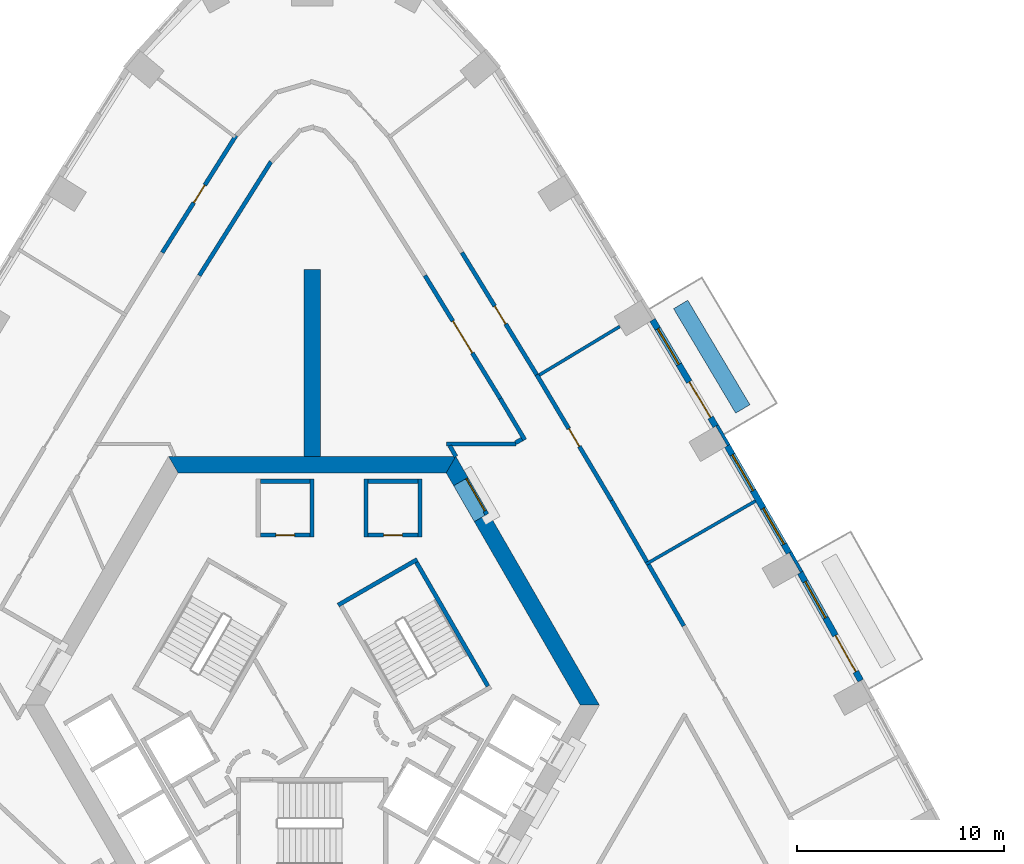
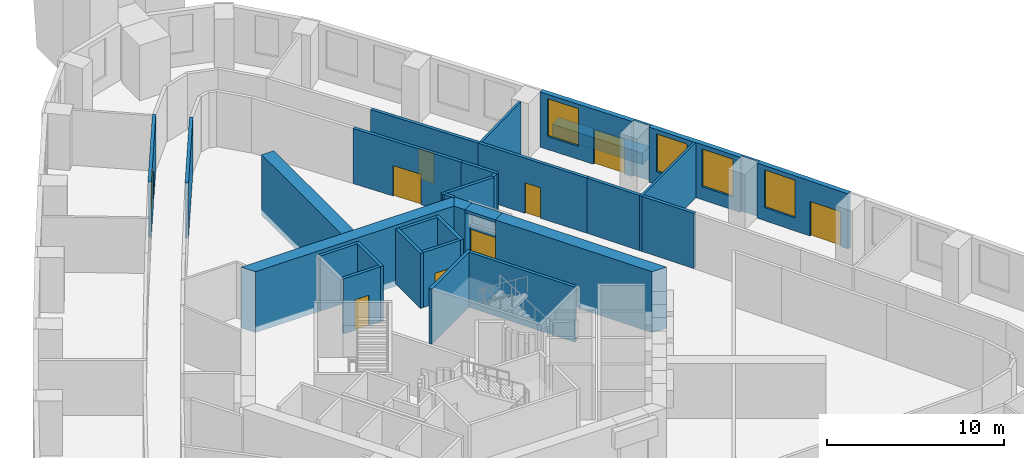
# One storey, part 9 of 14: 34 walls, 9 doors, 4 windows, 13 openings.
"""IFC4 building model written with IfcOpenShell, lengths in metres."""

from ifc_helpers import new_model, si_unit, direction, frame, frame_2d, origin, place, context, subcontext, project, spatial, polyline, rectangle, outline, extrude, material, layer, layer_set, type_object, element, fill, save


model = new_model("IFC4")

# Units and contexts
model_context = context("Model", 3, precision=1e-05, world=origin(), true_north=direction((0.0, 1.0)))
body_context = subcontext(model_context, "Body", "Model", "MODEL_VIEW")
ifc_project = project(units=[si_unit("LENGTHUNIT", "METRE"), si_unit("AREAUNIT", "SQUARE_METRE"), si_unit("VOLUMEUNIT", "CUBIC_METRE"), si_unit("PLANEANGLEUNIT", "RADIAN"), si_unit("MASSUNIT", "GRAM", prefix="KILO")], contexts=[model_context])

# Site, building, storey
site_placement = place(None, origin())
site = spatial("IfcSite", under=ifc_project, at=site_placement, CompositionType="ELEMENT")
building_placement = place(site_placement, origin())
building = spatial("IfcBuilding", under=site, at=building_placement, Name="Entoto Arch Interchange Tower", CompositionType="ELEMENT")
storey_placement = place(building_placement, frame((0.0, 0.0, 163.39990234375)))
storey = spatial("IfcBuildingStorey", under=building, at=storey_placement, Name="L36", CompositionType="ELEMENT", Elevation=163.39990234375)

# Wall
ifc_material_1 = material(Name="Concrete C50/60", Category="concrete")
ifc_layer_1 = layer(ifc_material_1, 0.800048828125)
ifc_layer_set_1 = layer_set([ifc_layer_1], Name="Concrete C50/60")
wall_type_1 = type_object("IfcWallType", Name="Buttress wall 800 C50/60", PredefinedType="SHEAR", material=ifc_layer_set_1)
wall_1_placement = place(storey_placement, frame((0.0, 14.5, -0.39990234375), z_axis=(0.0, 0.0, 1.0), x_axis=(0.0, 1.0, 0.0)))
element("IfcWall", 1, at=wall_1_placement, inside=storey, type_object=wall_type_1, Name="Buttress wall N L36", PredefinedType="SHEAR", context=body_context, shape_type="SweptSolid", body=[
    extrude(rectangle(XDim=9.0, YDim=0.800048828125, at=frame_2d((4.5, 0.0))), origin(), (0.0, 0.0, 1.0), 4.199951171875),
])

# Wall, opening, door
ifc_material_2 = material(Name="Reinforced concrete C40/50", Category="concrete")
ifc_layer_2 = layer(ifc_material_2, 0.199951171875)
ifc_layer_set_2 = layer_set([ifc_layer_2], Name="Reinforced concrete C40/50")
wall_type_2 = type_object("IfcWallType", Name="CORE GAP INFILL WALL", PredefinedType="PARTITIONING", material=ifc_layer_set_2)
wall_2_placement = place(storey_placement, frame((8.429931640625, 11.697998046875, 0.0), z_axis=(0.0, 0.0, 1.0), x_axis=(-0.50002537861, 0.866010750942, 0.0)))
wall_2 = element("IfcWall", 2, at=wall_2_placement, inside=storey, type_object=wall_type_2, Name="wall:L36:gap2", PredefinedType="PARTITIONING", context=body_context, shape_type="SweptSolid", body=[
    extrude(rectangle(XDim=2.0, YDim=0.199951171875, at=frame_2d((1.0, 0.0))), origin(), (0.0, 0.0, 1.0), 2.400146484375),
])
opening_1_placement = place(wall_2_placement, frame((0.18994140625, 0.0, 0.0)))
opening_1 = element("IfcOpeningElement", 3, at=opening_1_placement, cuts=wall_2, Name="Opening L36-D92", PredefinedType="OPENING", context=body_context, shape_type="SweptSolid", body=[
    extrude(rectangle(XDim=1.800048828125, YDim=2.10009765625, at=frame_2d((0.89990234375, 1.050048828125))), frame((0.0, 0.10986328125, 0.0), z_axis=(0.0, -1.0, 0.0), x_axis=(1.0, 0.0, 0.0)), (0.0, 0.0, 1.0), 0.219970703125),
])
ifc_material_3 = material(Name="Fire-rated Steel S235 door and frame", Category="steel")
door_type_1 = type_object("IfcDoorType", Name="DOOR FD-18 1800x2100", OperationType="DOUBLE_DOOR_SINGLE_SWING", PredefinedType="DOOR", material=ifc_material_3)
door_1_placement = place(opening_1_placement, origin())
door_1 = element("IfcDoor", 4, at=door_1_placement, inside=storey, type_object=door_type_1, Name="door:L36:gap2", OperationType="DOUBLE_DOOR_SINGLE_SWING", OverallHeight=2.10009765625, OverallWidth=1.800048828125, PredefinedType="DOOR", context=body_context, shape_type="SweptSolid", body=[
    extrude(rectangle(XDim=1.800048828125, YDim=2.10009765625, at=frame_2d((0.89990234375, 1.050048828125))), frame((0.0, 0.02490234375, 0.0), z_axis=(0.0, -1.0, 0.0), x_axis=(1.0, 0.0, 0.0)), (0.0, 0.0, 1.0), 0.050048828125),
])
fill(opening_1, door_1)

# Walls
ifc_layer_3 = layer(ifc_material_1, 0.800048828125)
ifc_layer_set_3 = layer_set([ifc_layer_3], Name="Concrete C50/60")
wall_type_3 = type_object("IfcWallType", Name="Core wall 800 C50/60", PredefinedType="SHEAR", material=ifc_layer_set_3)
wall_3_placement = place(storey_placement, frame((0.0, 0.0, -0.39990234375)))
element("IfcWall", 5, at=wall_3_placement, inside=storey, type_object=wall_type_3, Name="Core wall NE L36", PredefinedType="SHEAR", context=body_context, shape_type="SweptSolid", body=[
    extrude(outline(polyline([(8.51708984375, 11.748046875), (7.823974609375, 11.347900390625), (12.93310546875, 2.5), (13.85595703125, 2.5), (8.51708984375, 11.748046875)])), origin(), (0.0, 0.0, 1.0), 4.199951171875),
])
wall_4_placement = place(storey_placement, frame((0.0, 0.0, -0.39990234375)))
element("IfcWall", 6, at=wall_4_placement, inside=storey, type_object=wall_type_3, Name="Core wall NE L36", PredefinedType="SHEAR", context=body_context, shape_type="SweptSolid", body=[
    extrude(outline(polyline([(6.823974609375, 13.080078125), (7.51708984375, 13.47998046875), (6.927978515625, 14.5), (6.466064453125, 13.699951171875), (6.823974609375, 13.080078125)])), origin(), (0.0, 0.0, 1.0), 4.199951171875),
])
wall_5_placement = place(storey_placement, frame((0.0, 0.0, 3.60009765625)))
element("IfcWall", 7, at=wall_5_placement, inside=storey, type_object=wall_type_3, Name="Core wall lintel NE L36", PredefinedType="SHEAR", context=body_context, shape_type="SweptSolid", body=[
    extrude(outline(polyline([(7.51708984375, 13.47998046875), (6.823974609375, 13.080078125), (7.823974609375, 11.347900390625), (8.51708984375, 11.748046875), (7.51708984375, 13.47998046875)])), origin(), (0.0, 0.0, 1.0), 0.199951171875),
])
wall_6_placement = place(storey_placement, frame((0.0, 0.0, -0.39990234375)))
element("IfcWall", 8, at=wall_6_placement, inside=storey, type_object=wall_type_3, Name="Core wall N L36", PredefinedType="SHEAR", context=body_context, shape_type="SweptSolid", body=[
    extrude(outline(polyline([(6.927978515625, 14.5), (-6.927978515625, 14.5), (-6.466064453125, 13.699951171875), (6.466064453125, 13.699951171875), (6.927978515625, 14.5)])), origin(), (0.0, 0.0, 1.0), 4.199951171875),
])
ifc_material_4 = material(Name="Gypsum board partition on steel studs", Category="steel")
ifc_layer_4 = layer(ifc_material_4, 0.14990234375)
ifc_layer_set_4 = layer_set([ifc_layer_4], Name="Gypsum board partition on steel studs")
wall_type_4 = type_object("IfcWallType", Name="PARTITION 150", PredefinedType="PARTITIONING", material=ifc_layer_set_4)
wall_7_placement = place(storey_placement, frame((16.097900390625, 9.294921875, 0.0), z_axis=(0.0, 0.0, 1.0), x_axis=(0.866109615698, 0.499854112313, 0.0)))
element("IfcWall", 9, at=wall_7_placement, inside=storey, type_object=wall_type_4, Name="wall:L36:p137", PredefinedType="PARTITIONING", context=body_context, shape_type="SweptSolid", body=[
    extrude(rectangle(XDim=6.099853515625, YDim=0.14990234375, at=frame_2d((3.0498046875, 0.0))), origin(), (0.0, 0.0, 1.0), 3.800048828125),
])
wall_8_placement = place(storey_placement, frame((10.95703125, 18.4208984375, 0.0), z_axis=(0.0, 0.0, 1.0), x_axis=(0.85624931053, 0.516562792134, 0.0)))
element("IfcWall", 10, at=wall_8_placement, inside=storey, type_object=wall_type_4, Name="wall:L36:p138", PredefinedType="PARTITIONING", context=body_context, shape_type="SweptSolid", body=[
    extrude(rectangle(XDim=4.530029296875, YDim=0.14990234375, at=frame_2d((2.26513671875, 0.0))), origin(), (0.0, 0.0, 1.0), 3.800048828125),
])
ifc_layer_5 = layer(ifc_material_4, 0.199951171875)
ifc_layer_set_5 = layer_set([ifc_layer_5], Name="Gypsum board partition on steel studs")
wall_type_5 = type_object("IfcWallType", Name="PARTITION 200", PredefinedType="PARTITIONING", material=ifc_layer_set_5)
wall_9_placement = place(storey_placement, frame((6.93701171875, 14.488037109375, 0.0), z_axis=(0.0, 0.0, 1.0), x_axis=(-0.499908430952, 0.866078264744, 0.0)))
element("IfcWall", 11, at=wall_9_placement, inside=storey, type_object=wall_type_5, Name="wall:L36:p005", PredefinedType="PARTITIONING", context=body_context, shape_type="SweptSolid", body=[
    extrude(rectangle(XDim=0.60595703125, YDim=0.199951171875, at=frame_2d((0.302978515625, 0.0))), origin(), (0.0, 0.0, 1.0), 3.800048828125),
])
wall_10_placement = place(storey_placement, frame((6.48388671875, 15.10009765625, 0.0), z_axis=(0.0, 0.0, 1.0), x_axis=(1.0, 0.0, 0.0)))
element("IfcWall", 12, at=wall_10_placement, inside=storey, type_object=wall_type_5, Name="wall:L36:p006", PredefinedType="PARTITIONING", context=body_context, shape_type="SweptSolid", body=[
    extrude(rectangle(XDim=3.339111328125, YDim=0.199951171875, at=frame_2d((1.66943359375, 0.0))), origin(), (0.0, 0.0, 1.0), 3.800048828125),
])
wall_11_placement = place(storey_placement, frame((9.80908203125, 15.14990234375, 0.0), z_axis=(0.0, 0.0, 1.0), x_axis=(0.866479829667, 0.499212083968, 0.0)))
element("IfcWall", 13, at=wall_11_placement, inside=storey, type_object=wall_type_5, Name="wall:L36:p007", PredefinedType="PARTITIONING", context=body_context, shape_type="SweptSolid", body=[
    extrude(rectangle(XDim=0.35888671875, YDim=0.199951171875, at=frame_2d((0.179443359375, 0.0))), origin(), (0.0, 0.0, 1.0), 3.800048828125),
])
wall_12_placement = place(storey_placement, frame((10.257080078125, 15.29296875, 0.0), z_axis=(0.0, 0.0, 1.0), x_axis=(-0.510974411771, 0.859595922812, 0.0)))
element("IfcWall", 14, at=wall_12_placement, inside=storey, type_object=wall_type_5, Name="wall:L36:p008", PredefinedType="PARTITIONING", context=body_context, shape_type="SweptSolid", body=[
    extrude(rectangle(XDim=2.3173828125, YDim=0.199951171875, at=frame_2d((1.15869140625, 0.0))), origin(), (0.0, 0.0, 1.0), 3.800048828125),
])

# Wall, opening, door
wall_13_placement = place(storey_placement, frame((9.072998046875, 17.284912109375, 0.0), z_axis=(0.0, 0.0, 1.0), x_axis=(-0.522108536257, 0.85287905143, 0.0)))
wall_13 = element("IfcWall", 15, at=wall_13_placement, inside=storey, type_object=wall_type_5, Name="wall:L36:p009", PredefinedType="PARTITIONING", context=body_context, shape_type="SweptSolid", body=[
    extrude(rectangle(XDim=6.95654296875, YDim=0.199951171875, at=frame_2d((3.478271484375, 0.0))), origin(), (0.0, 0.0, 1.0), 3.800048828125),
])
opening_2_placement = place(wall_13_placement, frame((2.577880859375, 0.0, 0.0)))
opening_2 = element("IfcOpeningElement", 16, at=opening_2_placement, cuts=wall_13, Name="Opening L36-D16", PredefinedType="OPENING", context=body_context, shape_type="SweptSolid", body=[
    extrude(rectangle(XDim=1.800048828125, YDim=2.10009765625, at=frame_2d((0.89990234375, 1.050048828125))), frame((0.0, 0.10986328125, 0.0), z_axis=(0.0, -1.0, 0.0), x_axis=(1.0, 0.0, 0.0)), (0.0, 0.0, 1.0), 0.219970703125),
])
ifc_material_5 = material(Name="Timber door leaf in Steel S235 frame", Category="steel")
door_type_2 = type_object("IfcDoorType", Name="DOOR DD-18 1800x2100", OperationType="DOUBLE_DOOR_SINGLE_SWING", PredefinedType="DOOR", material=ifc_material_5)
door_2_placement = place(opening_2_placement, origin())
door_2 = element("IfcDoor", 17, at=door_2_placement, inside=storey, type_object=door_type_2, Name="door:L36:16", OperationType="DOUBLE_DOOR_SINGLE_SWING", OverallHeight=2.10009765625, OverallWidth=1.800048828125, PredefinedType="DOOR", context=body_context, shape_type="SweptSolid", body=[
    extrude(rectangle(XDim=1.800048828125, YDim=2.10009765625, at=frame_2d((0.89990234375, 1.050048828125))), frame((0.0, 0.02490234375, 0.0), z_axis=(0.0, -1.0, 0.0), x_axis=(1.0, 0.0, 0.0)), (0.0, 0.0, 1.0), 0.050048828125),
])
fill(opening_2, door_2)

# Walls
wall_14_placement = place(storey_placement, frame((-1.98388671875, 28.708984375, 0.0), z_axis=(0.0, 0.0, 1.0), x_axis=(-0.532786324951, -0.846249804694, 0.0)))
element("IfcWall", 18, at=wall_14_placement, inside=storey, type_object=wall_type_5, Name="wall:L36:p015", PredefinedType="PARTITIONING", context=body_context, shape_type="SweptSolid", body=[
    extrude(rectangle(XDim=6.488525390625, YDim=0.199951171875, at=frame_2d((3.244140625, 0.0))), origin(), (0.0, 0.0, 1.0), 3.800048828125),
])
wall_15_placement = place(storey_placement, frame((16.221923828125, 9.280029296875, 0.0), z_axis=(0.0, 0.0, 1.0), x_axis=(0.499920397431, -0.866071357471, 0.0)))
element("IfcWall", 19, at=wall_15_placement, inside=storey, type_object=wall_type_5, Name="wall:L36:p052", PredefinedType="PARTITIONING", context=body_context, shape_type="SweptSolid", body=[
    extrude(rectangle(XDim=3.41650390625, YDim=0.199951171875, at=frame_2d((1.708251953125, 0.0))), origin(), (0.0, 0.0, 1.0), 3.800048828125),
])

# Wall, opening, door
wall_16_placement = place(storey_placement, frame((10.8330078125, 18.43408203125, 0.0), z_axis=(0.0, 0.0, 1.0), x_axis=(0.510975915649, -0.859595028852, 0.0)))
wall_16 = element("IfcWall", 20, at=wall_16_placement, inside=storey, type_object=wall_type_5, Name="wall:L36:p055", PredefinedType="PARTITIONING", context=body_context, shape_type="SweptSolid", body=[
    extrude(rectangle(XDim=7.056884765625, YDim=0.199951171875, at=frame_2d((3.5283203125, 0.0))), origin(), (0.0, 0.0, 1.0), 3.800048828125),
])
opening_3_placement = place(wall_16_placement, frame((3.028076171875, 0.0, 0.0)))
opening_3 = element("IfcOpeningElement", 21, at=opening_3_placement, cuts=wall_16, Name="Opening L36-D05", PredefinedType="OPENING", context=body_context, shape_type="SweptSolid", body=[
    extrude(rectangle(XDim=1.0, YDim=2.10009765625, at=frame_2d((0.5, 1.050048828125))), frame((0.0, 0.10986328125, 0.0), z_axis=(0.0, -1.0, 0.0), x_axis=(1.0, 0.0, 0.0)), (0.0, 0.0, 1.0), 0.219970703125),
])
door_type_3 = type_object("IfcDoorType", Name="DOOR DS-10 1000x2100", OperationType="SINGLE_SWING_LEFT", PredefinedType="DOOR", material=ifc_material_5)
door_3_placement = place(opening_3_placement, origin())
door_3 = element("IfcDoor", 22, at=door_3_placement, inside=storey, type_object=door_type_3, Name="door:L36:05", OperationType="SINGLE_SWING_LEFT", OverallHeight=2.10009765625, OverallWidth=1.0, PredefinedType="DOOR", context=body_context, shape_type="SweptSolid", body=[
    extrude(rectangle(XDim=1.0, YDim=2.10009765625, at=frame_2d((0.5, 1.050048828125))), frame((0.0, 0.02490234375, 0.0), z_axis=(0.0, -1.0, 0.0), x_axis=(1.0, 0.0, 0.0)), (0.0, 0.0, 1.0), 0.050048828125),
])
fill(opening_3, door_3)

# Wall
wall_17_placement = place(storey_placement, frame((14.43896484375, 12.367919921875, 0.0), z_axis=(0.0, 0.0, 1.0), x_axis=(0.500044178772, -0.865999895656, 0.0)))
element("IfcWall", 23, at=wall_17_placement, inside=storey, type_object=wall_type_5, Name="wall:L36:p056", PredefinedType="PARTITIONING", context=body_context, shape_type="SweptSolid", body=[
    extrude(rectangle(XDim=3.415771484375, YDim=0.199951171875, at=frame_2d((1.7080078125, 0.0))), origin(), (0.0, 0.0, 1.0), 3.800048828125),
])

# Wall, opening, door
wall_18_placement = place(storey_placement, frame((7.22607421875, 24.325927734375, 0.0), z_axis=(0.0, 0.0, 1.0), x_axis=(0.52212028524, -0.852871858922, 0.0)))
wall_18 = element("IfcWall", 24, at=wall_18_placement, inside=storey, type_object=wall_type_5, Name="wall:L36:p058", PredefinedType="PARTITIONING", context=body_context, shape_type="SweptSolid", body=[
    extrude(rectangle(XDim=6.908203125, YDim=0.199951171875, at=frame_2d((3.4541015625, 0.0))), origin(), (0.0, 0.0, 1.0), 3.800048828125),
])
opening_4_placement = place(wall_18_placement, frame((3.029052734375, 0.0, 0.0)))
opening_4 = element("IfcOpeningElement", 25, at=opening_4_placement, cuts=wall_18, Name="Opening L36-D06", PredefinedType="OPENING", context=body_context, shape_type="SweptSolid", body=[
    extrude(rectangle(XDim=1.0, YDim=2.10009765625, at=frame_2d((0.5, 1.050048828125))), frame((0.0, 0.10986328125, 0.0), z_axis=(0.0, -1.0, 0.0), x_axis=(1.0, 0.0, 0.0)), (0.0, 0.0, 1.0), 0.219970703125),
])
door_4_placement = place(opening_4_placement, origin())
door_4 = element("IfcDoor", 26, at=door_4_placement, inside=storey, type_object=door_type_3, Name="door:L36:06", OperationType="SINGLE_SWING_RIGHT", OverallHeight=2.10009765625, OverallWidth=1.0, PredefinedType="DOOR", context=body_context, shape_type="SweptSolid", body=[
    extrude(rectangle(XDim=1.0, YDim=2.10009765625, at=frame_2d((0.5, 1.050048828125))), frame((0.0, 0.02490234375, 0.0), z_axis=(0.0, -1.0, 0.0), x_axis=(1.0, 0.0, 0.0)), (0.0, 0.0, 1.0), 0.050048828125),
])
fill(opening_4, door_4)

wall_19_placement = place(storey_placement, frame((-7.22607421875, 24.325927734375, 0.0), z_axis=(0.0, 0.0, 1.0), x_axis=(0.532874279134, 0.846194423662, 0.0)))
wall_19 = element("IfcWall", 27, at=wall_19_placement, inside=storey, type_object=wall_type_5, Name="wall:L36:p064", PredefinedType="PARTITIONING", context=body_context, shape_type="SweptSolid", body=[
    extrude(rectangle(XDim=6.686279296875, YDim=0.199951171875, at=frame_2d((3.34326171875, 0.0))), origin(), (0.0, 0.0, 1.0), 3.800048828125),
])
opening_5_placement = place(wall_19_placement, frame((2.843017578125, 0.0, 0.0)))
opening_5 = element("IfcOpeningElement", 28, at=opening_5_placement, cuts=wall_19, Name="Opening L36-D08", PredefinedType="OPENING", context=body_context, shape_type="SweptSolid", body=[
    extrude(rectangle(XDim=1.0, YDim=2.10009765625, at=frame_2d((0.5, 1.050048828125))), frame((0.0, 0.10986328125, 0.0), z_axis=(0.0, -1.0, 0.0), x_axis=(1.0, 0.0, 0.0)), (0.0, 0.0, 1.0), 0.219970703125),
])
door_5_placement = place(opening_5_placement, origin())
door_5 = element("IfcDoor", 29, at=door_5_placement, inside=storey, type_object=door_type_3, Name="door:L36:08", OperationType="SINGLE_SWING_LEFT", OverallHeight=2.10009765625, OverallWidth=1.0, PredefinedType="DOOR", context=body_context, shape_type="SweptSolid", body=[
    extrude(rectangle(XDim=1.0, YDim=2.10009765625, at=frame_2d((0.5, 1.050048828125))), frame((0.0, 0.02490234375, 0.0), z_axis=(0.0, -1.0, 0.0), x_axis=(1.0, 0.0, 0.0)), (0.0, 0.0, 1.0), 0.050048828125),
])
fill(opening_5, door_5)

# Wall
wall_20_placement = place(storey_placement, frame((5.199951171875, 13.39990234375, 0.0), z_axis=(0.0, 0.0, 1.0), x_axis=(0.0, -1.0, 0.0)))
element("IfcWall", 30, at=wall_20_placement, inside=storey, type_object=wall_type_5, Name="wall:L36:p078", PredefinedType="PARTITIONING", context=body_context, shape_type="SweptSolid", body=[
    extrude(rectangle(XDim=2.7998046875, YDim=0.199951171875, at=frame_2d((1.39990234375, 0.0))), origin(), (0.0, 0.0, 1.0), 3.800048828125),
])

# Wall, opening, door
wall_21_placement = place(storey_placement, frame((5.10009765625, 10.699951171875, 0.0), z_axis=(0.0, 0.0, 1.0), x_axis=(-1.0, 0.0, 0.0)))
wall_21 = element("IfcWall", 31, at=wall_21_placement, inside=storey, type_object=wall_type_5, Name="wall:L36:p079", PredefinedType="PARTITIONING", context=body_context, shape_type="SweptSolid", body=[
    extrude(rectangle(XDim=2.400146484375, YDim=0.199951171875, at=frame_2d((1.2001953125, 0.0))), origin(), (0.0, 0.0, 1.0), 3.800048828125),
])
opening_6_placement = place(wall_21_placement, frame((0.75, 0.0, 0.0)))
opening_6 = element("IfcOpeningElement", 32, at=opening_6_placement, cuts=wall_21, Name="Opening L36-D27", PredefinedType="OPENING", context=body_context, shape_type="SweptSolid", body=[
    extrude(rectangle(XDim=0.89990234375, YDim=2.10009765625, at=frame_2d((0.449951171875, 1.050048828125))), frame((0.0, 0.10986328125, 0.0), z_axis=(0.0, -1.0, 0.0), x_axis=(1.0, 0.0, 0.0)), (0.0, 0.0, 1.0), 0.219970703125),
])
door_type_4 = type_object("IfcDoorType", Name="DOOR DS-09 900x2100", OperationType="SINGLE_SWING_LEFT", PredefinedType="DOOR", material=ifc_material_5)
door_6_placement = place(opening_6_placement, origin())
door_6 = element("IfcDoor", 33, at=door_6_placement, inside=storey, type_object=door_type_4, Name="door:L36:27", OperationType="SINGLE_SWING_RIGHT", OverallHeight=2.10009765625, OverallWidth=0.89990234375, PredefinedType="DOOR", context=body_context, shape_type="SweptSolid", body=[
    extrude(rectangle(XDim=0.89990234375, YDim=2.10009765625, at=frame_2d((0.449951171875, 1.050048828125))), frame((0.0, 0.02490234375, 0.0), z_axis=(0.0, -1.0, 0.0), x_axis=(1.0, 0.0, 0.0)), (0.0, 0.0, 1.0), 0.050048828125),
])
fill(opening_6, door_6)

# Walls
wall_22_placement = place(storey_placement, frame((2.60009765625, 10.60009765625, 0.0), z_axis=(0.0, 0.0, 1.0), x_axis=(0.0, 1.0, 0.0)))
element("IfcWall", 34, at=wall_22_placement, inside=storey, type_object=wall_type_5, Name="wall:L36:p080", PredefinedType="PARTITIONING", context=body_context, shape_type="SweptSolid", body=[
    extrude(rectangle(XDim=2.7998046875, YDim=0.199951171875, at=frame_2d((1.39990234375, 0.0))), origin(), (0.0, 0.0, 1.0), 3.800048828125),
])
wall_23_placement = place(storey_placement, frame((2.699951171875, 13.300048828125, 0.0), z_axis=(0.0, 0.0, 1.0), x_axis=(1.0, 0.0, 0.0)))
element("IfcWall", 35, at=wall_23_placement, inside=storey, type_object=wall_type_5, Name="wall:L36:p081", PredefinedType="PARTITIONING", context=body_context, shape_type="SweptSolid", body=[
    extrude(rectangle(XDim=2.400146484375, YDim=0.199951171875, at=frame_2d((1.2001953125, 0.0))), origin(), (0.0, 0.0, 1.0), 3.800048828125),
])
wall_24_placement = place(storey_placement, frame((0.0, 13.39990234375, 0.0), z_axis=(0.0, 0.0, 1.0), x_axis=(0.0, -1.0, 0.0)))
element("IfcWall", 36, at=wall_24_placement, inside=storey, type_object=wall_type_5, Name="wall:L36:p082", PredefinedType="PARTITIONING", context=body_context, shape_type="SweptSolid", body=[
    extrude(rectangle(XDim=2.7998046875, YDim=0.199951171875, at=frame_2d((1.39990234375, 0.0))), origin(), (0.0, 0.0, 1.0), 3.800048828125),
])

# Wall, opening, door
wall_25_placement = place(storey_placement, frame((-0.10009765625, 10.699951171875, 0.0), z_axis=(0.0, 0.0, 1.0), x_axis=(-1.0, 0.0, 0.0)))
wall_25 = element("IfcWall", 37, at=wall_25_placement, inside=storey, type_object=wall_type_5, Name="wall:L36:p083", PredefinedType="PARTITIONING", context=body_context, shape_type="SweptSolid", body=[
    extrude(rectangle(XDim=2.39990234375, YDim=0.199951171875, at=frame_2d((1.199951171875, 0.0))), origin(), (0.0, 0.0, 1.0), 3.800048828125),
])
opening_7_placement = place(wall_25_placement, frame((0.75, 0.0, 0.0)))
opening_7 = element("IfcOpeningElement", 38, at=opening_7_placement, cuts=wall_25, Name="Opening L36-D28", PredefinedType="OPENING", context=body_context, shape_type="SweptSolid", body=[
    extrude(rectangle(XDim=0.89990234375, YDim=2.10009765625, at=frame_2d((0.449951171875, 1.050048828125))), frame((0.0, 0.10986328125, 0.0), z_axis=(0.0, -1.0, 0.0), x_axis=(1.0, 0.0, 0.0)), (0.0, 0.0, 1.0), 0.219970703125),
])
door_7_placement = place(opening_7_placement, origin())
door_7 = element("IfcDoor", 39, at=door_7_placement, inside=storey, type_object=door_type_4, Name="door:L36:28", OperationType="SINGLE_SWING_RIGHT", OverallHeight=2.10009765625, OverallWidth=0.89990234375, PredefinedType="DOOR", context=body_context, shape_type="SweptSolid", body=[
    extrude(rectangle(XDim=0.89990234375, YDim=2.10009765625, at=frame_2d((0.449951171875, 1.050048828125))), frame((0.0, 0.02490234375, 0.0), z_axis=(0.0, -1.0, 0.0), x_axis=(1.0, 0.0, 0.0)), (0.0, 0.0, 1.0), 0.050048828125),
])
fill(opening_7, door_7)

# Walls
wall_26_placement = place(storey_placement, frame((-2.5, 13.300048828125, 0.0), z_axis=(0.0, 0.0, 1.0), x_axis=(1.0, 0.0, 0.0)))
element("IfcWall", 40, at=wall_26_placement, inside=storey, type_object=wall_type_5, Name="wall:L36:p085", PredefinedType="PARTITIONING", context=body_context, shape_type="SweptSolid", body=[
    extrude(rectangle(XDim=2.39990234375, YDim=0.199951171875, at=frame_2d((1.199951171875, 0.0))), origin(), (0.0, 0.0, 1.0), 3.800048828125),
])
ifc_material_6 = material(Name="Board-marked precast concrete C50/60", Category="concrete")
ifc_layer_6 = layer(ifc_material_6, 0.800048828125)
ifc_layer_set_6 = layer_set([ifc_layer_6], Name="Board-marked precast concrete C50/60")
wall_type_6 = type_object("IfcWallType", Name="PLANTER RC 800 Vachellia abyssinica", PredefinedType="STANDARD", material=ifc_layer_set_6)
wall_27_placement = place(storey_placement, frame((20.77197265625, 16.783935546875, 0.0), z_axis=(0.0, 0.0, 1.0), x_axis=(-0.510988922218, 0.85958729712, 0.0)))
element("IfcWall", 41, at=wall_27_placement, inside=storey, type_object=wall_type_6, Name="Planter NE-05 L36", PredefinedType="STANDARD", context=body_context, shape_type="SweptSolid", body=[
    extrude(rectangle(XDim=5.86328125, YDim=0.800048828125, at=frame_2d((2.931640625, 0.0))), origin(), (0.0, 0.0, 1.0), 0.800048828125),
])
ifc_material_7 = material(Name="Concrete C40/50", Category="concrete")
ifc_layer_7 = layer(ifc_material_7, 0.199951171875)
ifc_layer_set_7 = layer_set([ifc_layer_7], Name="Concrete C40/50")
wall_type_7 = type_object("IfcWallType", Name="STAIR ENCLOSURE WALL 200", PredefinedType="STANDARD", material=ifc_layer_set_7)
wall_28_placement = place(storey_placement, frame((1.256103515625, 7.323974609375, 0.0), z_axis=(0.0, 0.0, 1.0), x_axis=(0.866046073146, 0.499964197906, 0.0)))
element("IfcWall", 42, at=wall_28_placement, inside=storey, type_object=wall_type_7, Name="Stair wall ST-NE far", PredefinedType="STANDARD", context=body_context, shape_type="SweptSolid", body=[
    extrude(rectangle(XDim=4.400146484375, YDim=0.199951171875, at=frame_2d((2.2001953125, 0.0))), origin(), (0.0, 0.0, 1.0), 3.800048828125),
])
wall_29_placement = place(storey_placement, frame((8.47998046875, 3.412109375, 0.0), z_axis=(0.0, 0.0, 1.0), x_axis=(-0.499978703459, 0.866037698999, 0.0)))
element("IfcWall", 43, at=wall_29_placement, inside=storey, type_object=wall_type_7, Name="Stair wall ST-NE back", PredefinedType="STANDARD", context=body_context, shape_type="SweptSolid", body=[
    extrude(rectangle(XDim=6.900146484375, YDim=0.199951171875, at=frame_2d((3.4501953125, 0.0))), origin(), (0.0, 0.0, 1.0), 3.800048828125),
])

# Wall, openings, door, window
ifc_material_8 = material(Name="Welded tuff (ignimbrite) cladding, warm buff", Category="masonry")
ifc_layer_8 = layer(ifc_material_8, 0.300048828125)
ifc_layer_set_8 = layer_set([ifc_layer_8], Name="Welded tuff (ignimbrite) cladding, warm buff")
wall_type_8 = type_object("IfcWallType", Name="STONE INFILL WALL 300", PredefinedType="STANDARD", material=ifc_layer_set_8)
wall_30_placement = place(storey_placement, frame((26.4599609375, 3.681884765625, 0.0), z_axis=(0.0, 0.0, 1.0), x_axis=(-0.489032196971, 0.87226573378, 0.0)))
wall_30 = element("IfcWall", 44, at=wall_30_placement, inside=storey, type_object=wall_type_8, Name="Facade wall NE-03 L36", PredefinedType="STANDARD", context=body_context, shape_type="SweptSolid", body=[
    extrude(rectangle(XDim=5.962890625, YDim=0.300048828125, at=frame_2d((2.9814453125, 0.0))), origin(), (0.0, 0.0, 1.0), 3.800048828125),
])
opening_8_placement = place(wall_30_placement, frame((0.490966796875, 0.0, 0.0)))
opening_8 = element("IfcOpeningElement", 45, at=opening_8_placement, cuts=wall_30, Name="Opening DB-NE-03-L36", PredefinedType="OPENING", context=body_context, shape_type="SweptSolid", body=[
    extrude(rectangle(XDim=2.0, YDim=2.39990234375, at=frame_2d((1.0, 1.199951171875))), frame((0.0, 0.16015625, 0.0), z_axis=(0.0, -1.0, 0.0), x_axis=(1.0, 0.0, 0.0)), (0.0, 0.0, 1.0), 0.320068359375),
])
opening_9_placement = place(wall_30_placement, frame((3.471923828125, 0.0, 0.89990234375)))
opening_9 = element("IfcOpeningElement", 46, at=opening_9_placement, cuts=wall_30, Name="Opening WO-C", PredefinedType="OPENING", context=body_context, shape_type="SweptSolid", body=[
    extrude(rectangle(XDim=2.0, YDim=2.60009765625, at=frame_2d((1.0, 1.300048828125))), frame((0.0, 0.16015625, 0.0), z_axis=(0.0, -1.0, 0.0), x_axis=(1.0, 0.0, 0.0)), (0.0, 0.0, 1.0), 0.320068359375),
])
ifc_material_9 = material(Name="Aluminium and clear glass, anodised", Category="aluminium")
door_type_5 = type_object("IfcDoorType", Name="BALCONY DOOR DB 2000x2400", OperationType="SLIDING_TO_LEFT", PredefinedType="DOOR", material=ifc_material_9)
door_8_placement = place(opening_8_placement, origin())
door_8 = element("IfcDoor", 47, at=door_8_placement, inside=storey, type_object=door_type_5, Name="Balcony door NE-03 L36", OperationType="SLIDING_TO_LEFT", OverallHeight=2.39990234375, OverallWidth=2.0, PredefinedType="DOOR", context=body_context, shape_type="SweptSolid", body=[
    extrude(rectangle(XDim=2.0, YDim=2.39990234375, at=frame_2d((1.0, 1.199951171875))), frame((0.0, 0.02490234375, 0.0), z_axis=(0.0, -1.0, 0.0), x_axis=(1.0, 0.0, 0.0)), (0.0, 0.0, 1.0), 0.050048828125),
])
fill(opening_8, door_8)
ifc_material_10 = material(Name="Clear glass, low-e double glazed", Category="glass")
window_type = type_object("IfcWindowType", Name="WINDOW WO-C 2000x2600", PartitioningType="DOUBLE_PANEL_VERTICAL", PredefinedType="WINDOW", material=ifc_material_10)
window_1_placement = place(opening_9_placement, origin())
window_1 = element("IfcWindow", 48, at=window_1_placement, inside=storey, type_object=window_type, Name="Window WO-C NE-03 L36", OverallHeight=2.60009765625, OverallWidth=2.0, PartitioningType="SINGLE_PANEL", PredefinedType="WINDOW", context=body_context, shape_type="SweptSolid", body=[
    extrude(rectangle(XDim=2.0, YDim=2.60009765625, at=frame_2d((1.0, 1.300048828125))), frame((0.0, 0.030029296875, 0.0), z_axis=(0.0, -1.0, 0.0), x_axis=(1.0, 0.0, 0.0)), (0.0, 0.0, 1.0), 0.06005859375),
])
fill(opening_9, window_1)

# Wall, openings, windows
wall_31_placement = place(storey_placement, frame((23.0009765625, 9.8369140625, 0.0), z_axis=(0.0, 0.0, 1.0), x_axis=(-0.49986421087, 0.866103787482, 0.0)))
wall_31 = element("IfcWall", 49, at=wall_31_placement, inside=storey, type_object=wall_type_8, Name="Facade wall NE-04 L36", PredefinedType="STANDARD", context=body_context, shape_type="SweptSolid", body=[
    extrude(rectangle(XDim=5.963623046875, YDim=0.300048828125, at=frame_2d((2.98193359375, 0.0))), origin(), (0.0, 0.0, 1.0), 3.800048828125),
])
opening_10_placement = place(wall_31_placement, frame((0.490966796875, 0.0, 0.89990234375)))
opening_10 = element("IfcOpeningElement", 50, at=opening_10_placement, cuts=wall_31, Name="Opening WO-C", PredefinedType="OPENING", context=body_context, shape_type="SweptSolid", body=[
    extrude(rectangle(XDim=2.0, YDim=2.60009765625, at=frame_2d((1.0, 1.300048828125))), frame((0.0, 0.16015625, 0.0), z_axis=(0.0, -1.0, 0.0), x_axis=(1.0, 0.0, 0.0)), (0.0, 0.0, 1.0), 0.320068359375),
])
opening_11_placement = place(wall_31_placement, frame((3.472900390625, 0.0, 0.89990234375)))
opening_11 = element("IfcOpeningElement", 51, at=opening_11_placement, cuts=wall_31, Name="Opening WO-C", PredefinedType="OPENING", context=body_context, shape_type="SweptSolid", body=[
    extrude(rectangle(XDim=2.0, YDim=2.60009765625, at=frame_2d((1.0, 1.300048828125))), frame((0.0, 0.16015625, 0.0), z_axis=(0.0, -1.0, 0.0), x_axis=(1.0, 0.0, 0.0)), (0.0, 0.0, 1.0), 0.320068359375),
])
window_2_placement = place(opening_10_placement, origin())
window_2 = element("IfcWindow", 52, at=window_2_placement, inside=storey, type_object=window_type, Name="Window WO-C NE-04 L36", OverallHeight=2.60009765625, OverallWidth=2.0, PartitioningType="SINGLE_PANEL", PredefinedType="WINDOW", context=body_context, shape_type="SweptSolid", body=[
    extrude(rectangle(XDim=2.0, YDim=2.60009765625, at=frame_2d((1.0, 1.300048828125))), frame((0.0, 0.030029296875, 0.0), z_axis=(0.0, -1.0, 0.0), x_axis=(1.0, 0.0, 0.0)), (0.0, 0.0, 1.0), 0.06005859375),
])
fill(opening_10, window_2)
window_3_placement = place(opening_11_placement, origin())
window_3 = element("IfcWindow", 53, at=window_3_placement, inside=storey, type_object=window_type, Name="Window WO-C NE-04 L36", OverallHeight=2.60009765625, OverallWidth=2.0, PartitioningType="SINGLE_PANEL", PredefinedType="WINDOW", context=body_context, shape_type="SweptSolid", body=[
    extrude(rectangle(XDim=2.0, YDim=2.60009765625, at=frame_2d((1.0, 1.300048828125))), frame((0.0, 0.030029296875, 0.0), z_axis=(0.0, -1.0, 0.0), x_axis=(1.0, 0.0, 0.0)), (0.0, 0.0, 1.0), 0.06005859375),
])
fill(opening_11, window_3)

# Wall, openings, door, window
wall_32_placement = place(storey_placement, frame((19.465087890625, 15.948974609375, 0.0), z_axis=(0.0, 0.0, 1.0), x_axis=(-0.511053317394, 0.8595490136, 0.0)))
wall_32 = element("IfcWall", 54, at=wall_32_placement, inside=storey, type_object=wall_type_8, Name="Facade wall NE-05 L36", PredefinedType="STANDARD", context=body_context, shape_type="SweptSolid", body=[
    extrude(rectangle(XDim=5.96240234375, YDim=0.300048828125, at=frame_2d((2.981201171875, 0.0))), origin(), (0.0, 0.0, 1.0), 3.800048828125),
])
opening_12_placement = place(wall_32_placement, frame((0.490966796875, 0.0, 0.0)))
opening_12 = element("IfcOpeningElement", 55, at=opening_12_placement, cuts=wall_32, Name="Opening DB-NE-05-L36", PredefinedType="OPENING", context=body_context, shape_type="SweptSolid", body=[
    extrude(rectangle(XDim=2.0, YDim=2.39990234375, at=frame_2d((1.0, 1.199951171875))), frame((0.0, 0.16015625, 0.0), z_axis=(0.0, -1.0, 0.0), x_axis=(1.0, 0.0, 0.0)), (0.0, 0.0, 1.0), 0.320068359375),
])
opening_13_placement = place(wall_32_placement, frame((3.471923828125, 0.0, 0.89990234375)))
opening_13 = element("IfcOpeningElement", 56, at=opening_13_placement, cuts=wall_32, Name="Opening WO-C", PredefinedType="OPENING", context=body_context, shape_type="SweptSolid", body=[
    extrude(rectangle(XDim=2.0, YDim=2.60009765625, at=frame_2d((1.0, 1.300048828125))), frame((0.0, 0.16015625, 0.0), z_axis=(0.0, -1.0, 0.0), x_axis=(1.0, 0.0, 0.0)), (0.0, 0.0, 1.0), 0.320068359375),
])
door_9_placement = place(opening_12_placement, origin())
door_9 = element("IfcDoor", 57, at=door_9_placement, inside=storey, type_object=door_type_5, Name="Balcony door NE-05 L36", OperationType="SLIDING_TO_LEFT", OverallHeight=2.39990234375, OverallWidth=2.0, PredefinedType="DOOR", context=body_context, shape_type="SweptSolid", body=[
    extrude(rectangle(XDim=2.0, YDim=2.39990234375, at=frame_2d((1.0, 1.199951171875))), frame((0.0, 0.02490234375, 0.0), z_axis=(0.0, -1.0, 0.0), x_axis=(1.0, 0.0, 0.0)), (0.0, 0.0, 1.0), 0.050048828125),
])
fill(opening_12, door_9)
window_4_placement = place(opening_13_placement, origin())
window_4 = element("IfcWindow", 58, at=window_4_placement, inside=storey, type_object=window_type, Name="Window WO-C NE-05 L36", OverallHeight=2.60009765625, OverallWidth=2.0, PartitioningType="SINGLE_PANEL", PredefinedType="WINDOW", context=body_context, shape_type="SweptSolid", body=[
    extrude(rectangle(XDim=2.0, YDim=2.60009765625, at=frame_2d((1.0, 1.300048828125))), frame((0.0, 0.030029296875, 0.0), z_axis=(0.0, -1.0, 0.0), x_axis=(1.0, 0.0, 0.0)), (0.0, 0.0, 1.0), 0.06005859375),
])
fill(opening_13, window_4)

# Walls
ifc_layer_9 = layer(ifc_material_8, 0.14990234375)
ifc_layer_set_9 = layer_set([ifc_layer_9], Name="Welded tuff (ignimbrite) cladding, warm buff")
wall_type_9 = type_object("IfcWallType", Name="STONE PIER CLADDING 150", PredefinedType="STANDARD", material=ifc_layer_set_9)
wall_33_placement = place(storey_placement, frame((23.613037109375, 8.9208984375, 0.0), z_axis=(0.0, 0.0, 1.0), x_axis=(-0.494512685492, 0.869170411305, 0.0)))
element("IfcWall", 59, at=wall_33_placement, inside=storey, type_object=wall_type_9, Name="Stone pier NE04 L36", PredefinedType="STANDARD", context=body_context, shape_type="SweptSolid", body=[
    extrude(rectangle(XDim=1.099853515625, YDim=0.14990234375, at=frame_2d((0.5498046875, 0.0))), origin(), (0.0, 0.0, 1.0), 3.800048828125),
])
wall_34_placement = place(storey_placement, frame((20.089111328125, 15.041015625, 0.0), z_axis=(0.0, 0.0, 1.0), x_axis=(-0.50667077411, 0.862139621327, 0.0)))
element("IfcWall", 60, at=wall_34_placement, inside=storey, type_object=wall_type_9, Name="Stone pier NE05 L36", PredefinedType="STANDARD", context=body_context, shape_type="SweptSolid", body=[
    extrude(rectangle(XDim=1.099609375, YDim=0.14990234375, at=frame_2d((0.5498046875, 0.0))), origin(), (0.0, 0.0, 1.0), 3.800048828125),
])

save(model, "model.ifc")
